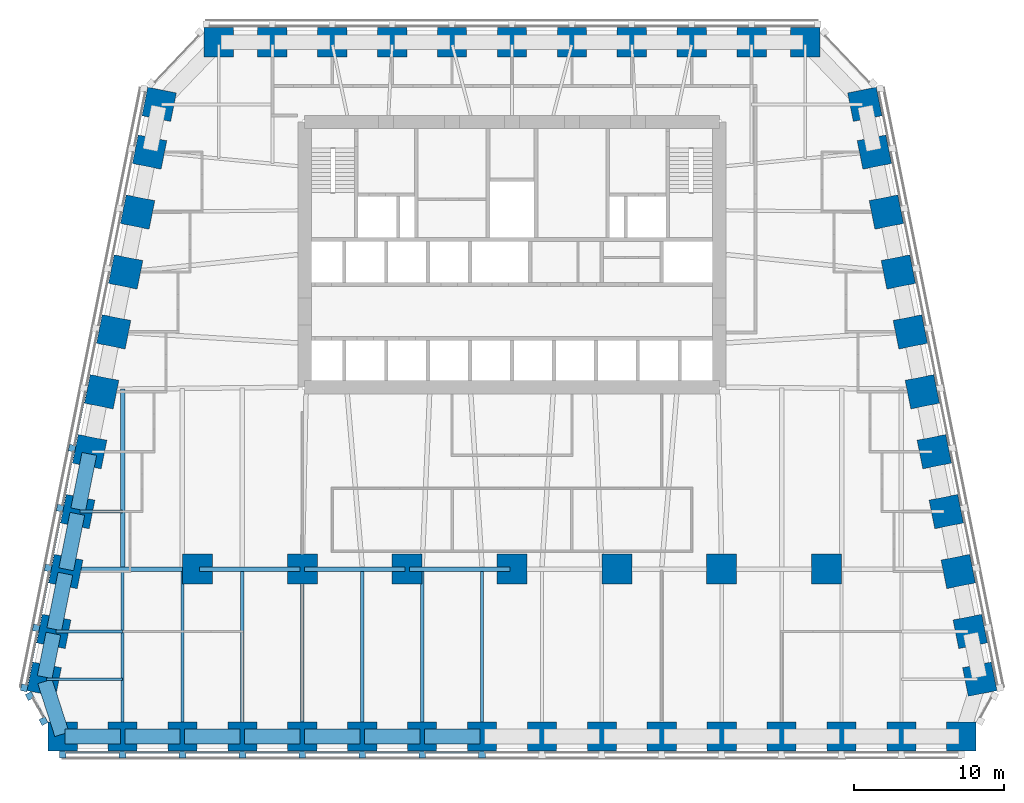
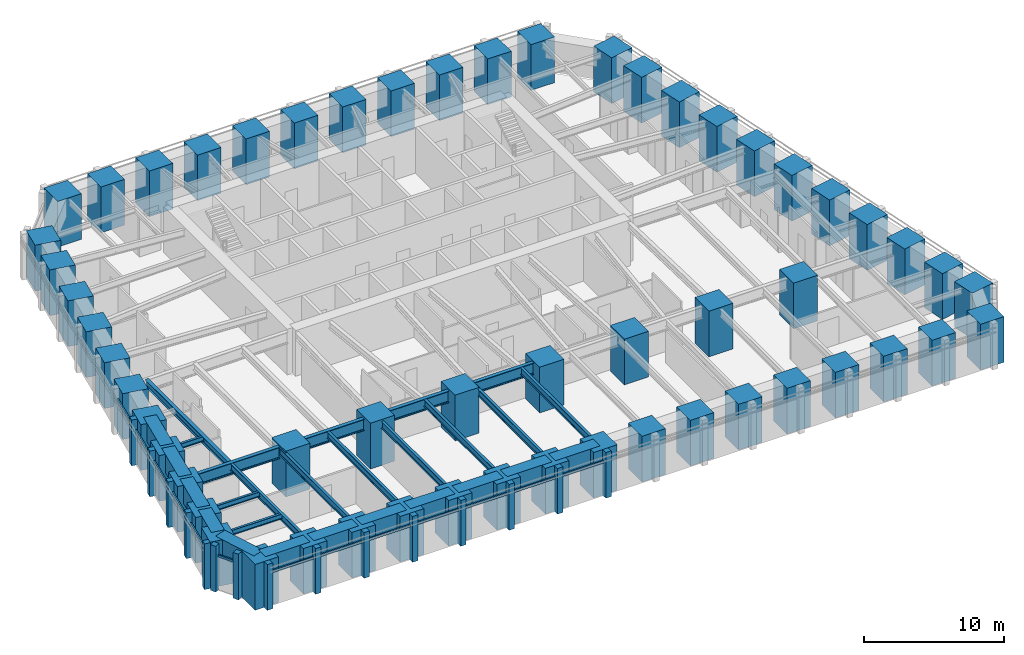
# One storey, part 1 of 10: 56 columns, 28 members, 27 beams, 3 elements without a shape of their own.
"""IFC4 building model written with IfcOpenShell, lengths in metres."""

from ifc_helpers import new_model, si_unit, direction, frame, origin, origin_2d, place, context, subcontext, project, spatial, rectangle, i_section, extrude, material, material_profile, profile_set, type_object, element, aggregate, save


model = new_model("IFC4")

# Units and contexts
model_context = context("Model", 3, precision=1e-05, world=origin(), true_north=direction((0.0, 1.0)))
body_context = subcontext(model_context, "Body", "Model", "MODEL_VIEW")
ifc_project = project(units=[si_unit("LENGTHUNIT", "METRE"), si_unit("AREAUNIT", "SQUARE_METRE"), si_unit("VOLUMEUNIT", "CUBIC_METRE"), si_unit("PLANEANGLEUNIT", "RADIAN"), si_unit("MASSUNIT", "GRAM", prefix="KILO")], contexts=[model_context])

# Site, building, storey
site_placement = place(None, origin())
site = spatial("IfcSite", under=ifc_project, at=site_placement, CompositionType="ELEMENT")
building_placement = place(site_placement, origin())
building = spatial("IfcBuilding", under=site, at=building_placement, Name="Isbrekke Arena Tower", CompositionType="ELEMENT")
storey_placement = place(building_placement, frame((0.0, 0.0, 84.0)))
storey = spatial("IfcBuildingStorey", under=building, at=storey_placement, Name="L18", CompositionType="ELEMENT", Elevation=84.0)

# Columns
ifc_material_1 = material(Name="Concrete B90 (C90/105)", Category="concrete")
ifc_material_profile_1 = material_profile(ifc_material_1, rectangle(XDim=2.0, YDim=2.0, at=origin_2d()), Name="RC 2000x2000")
ifc_profile_set_1 = profile_set([ifc_material_profile_1], Name="Concrete B90 (C90/105)")
column_type_1 = type_object("IfcColumnType", Name="C11 RC 2000 x 2000", PredefinedType="COLUMN", material=ifc_profile_set_1)
for number, where, z_axis, x_axis, name in (
    (1, (-21.0, -6.0, 0.0), (0.0, 0.0, 1.0), (1.0, 0.0, 0.0), "C11 I01"),
    (2, (-14.0, -6.0, 0.0), (0.0, 0.0, 1.0), (1.0, 0.0, 0.0), "C11 I02"),
    (3, (-7.0, -6.0, 0.0), (0.0, 0.0, 1.0), (1.0, 0.0, 0.0), "C11 I03"),
    (4, (0.0, -6.0, 0.0), (0.0, 0.0, 1.0), (1.0, 0.0, 0.0), "C11 I04"),
    (5, (7.0, -6.0, 0.0), (0.0, 0.0, 1.0), (1.0, 0.0, 0.0), "C11 I05"),
    (6, (14.0, -6.0, 0.0), (0.0, 0.0, 1.0), (1.0, 0.0, 0.0), "C11 I06"),
    (7, (21.0, -6.0, 0.0), (0.0, 0.0, 1.0), (1.0, 0.0, 0.0), "C11 I07"),
):
    element("IfcColumn", number, at=place(storey_placement, frame(where, z_axis=z_axis, x_axis=x_axis)), inside=storey, type_object=column_type_1, Name=name, PredefinedType="COLUMN", context=body_context, shape_type="SweptSolid", body=[
        extrude(rectangle(XDim=2.0, YDim=2.0, at=origin_2d()), origin(), (0.0, 0.0, 1.0), 4.0),
    ])
ifc_material_2 = material(Name="Concrete B90 (C90/105)", Category="concrete")
ifc_material_profile_2 = material_profile(ifc_material_2, rectangle(XDim=1.949951171875, YDim=1.949951171875, at=origin_2d()), Name="RC 1950x1950")
ifc_profile_set_2 = profile_set([ifc_material_profile_2], Name="Concrete B90 (C90/105)")
column_type_2 = type_object("IfcColumnType", Name="C2 RC 1950 x 1950", PredefinedType="COLUMN", material=ifc_profile_set_2)
for number, where, z_axis, x_axis, name in (
    (8, (-30.0, -17.175048828125, 0.0), (0.0, 0.0, 1.0), (1.0, 0.0, 0.0), "C2 S01"),
    (9, (-26.0, -17.175048828125, 0.0), (0.0, 0.0, 1.0), (1.0, 0.0, 0.0), "C2 S02"),
    (10, (-22.0, -17.175048828125, 0.0), (0.0, 0.0, 1.0), (1.0, 0.0, 0.0), "C2 S03"),
    (11, (-18.0, -17.175048828125, 0.0), (0.0, 0.0, 1.0), (1.0, 0.0, 0.0), "C2 S04"),
    (12, (-14.0, -17.175048828125, 0.0), (0.0, 0.0, 1.0), (1.0, 0.0, 0.0), "C2 S05"),
    (13, (-10.0, -17.175048828125, 0.0), (0.0, 0.0, 1.0), (1.0, 0.0, 0.0), "C2 S06"),
    (14, (-6.0, -17.175048828125, 0.0), (0.0, 0.0, 1.0), (1.0, 0.0, 0.0), "C2 S07"),
    (15, (-2.0, -17.175048828125, 0.0), (0.0, 0.0, 1.0), (1.0, 0.0, 0.0), "C2 S08"),
    (16, (2.0, -17.175048828125, 0.0), (0.0, 0.0, 1.0), (1.0, 0.0, 0.0), "C2 S09"),
    (17, (6.0, -17.175048828125, 0.0), (0.0, 0.0, 1.0), (1.0, 0.0, 0.0), "C2 S10"),
    (18, (10.0, -17.175048828125, 0.0), (0.0, 0.0, 1.0), (1.0, 0.0, 0.0), "C2 S11"),
    (19, (14.0, -17.175048828125, 0.0), (0.0, 0.0, 1.0), (1.0, 0.0, 0.0), "C2 S12"),
    (20, (18.0, -17.175048828125, 0.0), (0.0, 0.0, 1.0), (1.0, 0.0, 0.0), "C2 S13"),
    (21, (22.0, -17.175048828125, 0.0), (0.0, 0.0, 1.0), (1.0, 0.0, 0.0), "C2 S14"),
    (22, (26.0, -17.175048828125, 0.0), (0.0, 0.0, 1.0), (1.0, 0.0, 0.0), "C2 S15"),
    (23, (30.0, -17.175048828125, 0.0), (0.0, 0.0, 1.0), (1.0, 0.0, 0.0), "C2 S16"),
    (24, (31.229248046875, -13.352783203125, 0.0), (0.0, 0.0, 1.0), (-0.196116135138, 0.980580675691, 0.0), "C2 E01"),
    (25, (30.591064453125, -10.161865234375, 0.0), (0.0, 0.0, 1.0), (-0.196116135138, 0.980580675691, 0.0), "C2 E02"),
    (26, (29.791015625, -6.161865234375, 0.0), (0.0, 0.0, 1.0), (-0.196116135138, 0.980580675691, 0.0), "C2 E03"),
    (27, (28.990966796875, -2.161865234375, 0.0), (0.0, 0.0, 1.0), (-0.196116135138, 0.980580675691, 0.0), "C2 E04"),
    (28, (28.19091796875, 1.838134765625, 0.0), (0.0, 0.0, 1.0), (-0.196116135138, 0.980580675691, 0.0), "C2 E05"),
    (29, (27.39111328125, 5.838134765625, 0.0), (0.0, 0.0, 1.0), (-0.196116135138, 0.980580675691, 0.0), "C2 E06"),
    (30, (26.591064453125, 9.838134765625, 0.0), (0.0, 0.0, 1.0), (-0.196116135138, 0.980580675691, 0.0), "C2 E07"),
    (31, (25.791015625, 13.838134765625, 0.0), (0.0, 0.0, 1.0), (-0.196116135138, 0.980580675691, 0.0), "C2 E08"),
    (32, (24.990966796875, 17.838134765625, 0.0), (0.0, 0.0, 1.0), (-0.196116135138, 0.980580675691, 0.0), "C2 E09"),
    (33, (24.19091796875, 21.838134765625, 0.0), (0.0, 0.0, 1.0), (-0.196116135138, 0.980580675691, 0.0), "C2 E10"),
    (34, (23.552734375, 25.029296875, 0.0), (0.0, 0.0, 1.0), (-0.196116135138, 0.980580675691, 0.0), "C2 E11"),
    (35, (19.574951171875, 29.175048828125, 0.0), (0.0, 0.0, 1.0), (-1.0, 0.0, 0.0), "C2 N01"),
    (36, (16.0, 29.175048828125, 0.0), (0.0, 0.0, 1.0), (-1.0, 0.0, 0.0), "C2 N02"),
    (37, (12.0, 29.175048828125, 0.0), (0.0, 0.0, 1.0), (-1.0, 0.0, 0.0), "C2 N03"),
    (38, (8.0, 29.175048828125, 0.0), (0.0, 0.0, 1.0), (-1.0, 0.0, 0.0), "C2 N04"),
    (39, (4.0, 29.175048828125, 0.0), (0.0, 0.0, 1.0), (-1.0, 0.0, 0.0), "C2 N05"),
    (40, (0.0, 29.175048828125, 0.0), (0.0, 0.0, 1.0), (-1.0, 0.0, 0.0), "C2 N06"),
    (41, (-4.0, 29.175048828125, 0.0), (0.0, 0.0, 1.0), (-1.0, 0.0, 0.0), "C2 N07"),
    (42, (-8.0, 29.175048828125, 0.0), (0.0, 0.0, 1.0), (-1.0, 0.0, 0.0), "C2 N08"),
    (43, (-12.0, 29.175048828125, 0.0), (0.0, 0.0, 1.0), (-1.0, 0.0, 0.0), "C2 N09"),
    (44, (-16.0, 29.175048828125, 0.0), (0.0, 0.0, 1.0), (-1.0, 0.0, 0.0), "C2 N10"),
    (45, (-19.574951171875, 29.175048828125, 0.0), (0.0, 0.0, 1.0), (-1.0, 0.0, 0.0), "C2 N11"),
    (46, (-23.552734375, 25.029296875, 0.0), (0.0, 0.0, 1.0), (-0.196116135138, -0.980580675691, 0.0), "C2 W01"),
    (47, (-24.19091796875, 21.838134765625, 0.0), (0.0, 0.0, 1.0), (-0.196116135138, -0.980580675691, 0.0), "C2 W02"),
    (48, (-24.990966796875, 17.838134765625, 0.0), (0.0, 0.0, 1.0), (-0.196116135138, -0.980580675691, 0.0), "C2 W03"),
    (49, (-25.791015625, 13.838134765625, 0.0), (0.0, 0.0, 1.0), (-0.196116135138, -0.980580675691, 0.0), "C2 W04"),
    (50, (-26.591064453125, 9.838134765625, 0.0), (0.0, 0.0, 1.0), (-0.196116135138, -0.980580675691, 0.0), "C2 W05"),
    (51, (-27.39111328125, 5.838134765625, 0.0), (0.0, 0.0, 1.0), (-0.196116135138, -0.980580675691, 0.0), "C2 W06"),
    (52, (-28.19091796875, 1.838134765625, 0.0), (0.0, 0.0, 1.0), (-0.196116135138, -0.980580675691, 0.0), "C2 W07"),
    (53, (-28.990966796875, -2.161865234375, 0.0), (0.0, 0.0, 1.0), (-0.196116135138, -0.980580675691, 0.0), "C2 W08"),
    (54, (-29.791015625, -6.161865234375, 0.0), (0.0, 0.0, 1.0), (-0.196116135138, -0.980580675691, 0.0), "C2 W09"),
    (55, (-30.591064453125, -10.161865234375, 0.0), (0.0, 0.0, 1.0), (-0.196116135138, -0.980580675691, 0.0), "C2 W10"),
    (56, (-31.229248046875, -13.352783203125, 0.0), (0.0, 0.0, 1.0), (-0.196116135138, -0.980580675691, 0.0), "C2 W11"),
):
    element("IfcColumn", number, at=place(storey_placement, frame(where, z_axis=z_axis, x_axis=x_axis)), inside=storey, type_object=column_type_2, Name=name, PredefinedType="COLUMN", context=body_context, shape_type="SweptSolid", body=[
        extrude(rectangle(XDim=1.949951171875, YDim=1.949951171875, at=origin_2d()), origin(), (0.0, 0.0, 1.0), 4.0),
    ])

# Beams
ifc_material_3 = material(Name="Steel S355", Category="steel")
ifc_material_profile_3 = material_profile(ifc_material_3, i_section(OverallWidth=0.219970703125, OverallDepth=0.60009765625, WebThickness=0.011962890625, FlangeThickness=0.01904296875, FilletRadius=0.02392578125, at=origin_2d()), Name="IPE 600")
ifc_profile_set_3 = profile_set([ifc_material_profile_3], Name="Steel S355")
beam_type_1 = type_object("IfcBeamType", Name="B1 IPE 600", PredefinedType="BEAM", material=ifc_profile_set_3)
for number, where, z_axis, x_axis, name in (
    (57, (-26.0, -17.02490234375, 3.550048828125), (0.0, 1.0, 0.0), (-1.0, 0.0, 0.0), "B1 beam S-S02 L18"),
    (58, (-22.0, -17.02490234375, 3.550048828125), (0.0, 1.0, 0.0), (-1.0, 0.0, 0.0), "B1 beam S-S03 L18"),
    (59, (-18.0, -17.02490234375, 3.550048828125), (0.0, 1.0, 0.0), (-1.0, 0.0, 0.0), "B1 beam S-S04 L18"),
):
    element("IfcBeam", number, at=place(storey_placement, frame(where, z_axis=z_axis, x_axis=x_axis)), inside=storey, type_object=beam_type_1, Name=name, PredefinedType="BEAM", context=body_context, shape_type="SweptSolid", body=[
        extrude(i_section(OverallWidth=0.219970703125, OverallDepth=0.60009765625, WebThickness=0.011962890625, FlangeThickness=0.01904296875, FilletRadius=0.02392578125, at=origin_2d()), origin(), (0.0, 0.0, 1.0), 10.8740234375),
    ])
beam_1_placement = place(storey_placement, frame((-14.0, -17.02490234375, 3.550048828125), z_axis=(0.0, 1.0, 0.0), x_axis=(-1.0, 0.0, 0.0)))
element("IfcBeam", 60, at=beam_1_placement, inside=storey, type_object=beam_type_1, Name="B1 beam S-S05 L18", PredefinedType="BEAM", context=body_context, shape_type="SweptSolid", body=[
    extrude(i_section(OverallWidth=0.219970703125, OverallDepth=0.60009765625, WebThickness=0.011962890625, FlangeThickness=0.01904296875, FilletRadius=0.02392578125, at=origin_2d()), origin(), (0.0, 0.0, 1.0), 10.875),
])
for number, where, z_axis, x_axis, name in (
    (61, (-10.0, -17.02490234375, 3.550048828125), (0.0, 1.0, 0.0), (-1.0, 0.0, 0.0), "B1 beam S-S06 L18"),
    (62, (-6.0, -17.02490234375, 3.550048828125), (0.0, 1.0, 0.0), (-1.0, 0.0, 0.0), "B1 beam S-S07 L18"),
    (63, (-2.0, -17.02490234375, 3.550048828125), (0.0, 1.0, 0.0), (-1.0, 0.0, 0.0), "B1 beam S-S08 L18"),
):
    element("IfcBeam", number, at=place(storey_placement, frame(where, z_axis=z_axis, x_axis=x_axis)), inside=storey, type_object=beam_type_1, Name=name, PredefinedType="BEAM", context=body_context, shape_type="SweptSolid", body=[
        extrude(i_section(OverallWidth=0.219970703125, OverallDepth=0.60009765625, WebThickness=0.011962890625, FlangeThickness=0.01904296875, FilletRadius=0.02392578125, at=origin_2d()), origin(), (0.0, 0.0, 1.0), 10.8740234375),
    ])
ifc_material_4 = material(Name="Steel S355", Category="steel")
ifc_material_profile_4 = material_profile(ifc_material_4, i_section(OverallWidth=0.18994140625, OverallDepth=0.449951171875, WebThickness=0.009521484375, FlangeThickness=0.0146484375, FilletRadius=0.02099609375, at=origin_2d()), Name="IPE 450")
ifc_profile_set_4 = profile_set([ifc_material_profile_4], Name="Steel S355")
beam_type_2 = type_object("IfcBeamType", Name="B2 IPE 450", PredefinedType="BEAM", material=ifc_profile_set_4)
beam_2_placement = place(storey_placement, frame((-28.841064453125, -2.161865234375, 3.625), z_axis=(1.0, 0.0, 0.0), x_axis=(0.0, 1.0, 0.0)))
element("IfcBeam", 64, at=beam_2_placement, inside=storey, type_object=beam_type_2, Name="B2 beam E-W08 L18", PredefinedType="BEAM", context=body_context, shape_type="SweptSolid", body=[
    extrude(i_section(OverallWidth=0.18994140625, OverallDepth=0.449951171875, WebThickness=0.009521484375, FlangeThickness=0.0146484375, FilletRadius=0.02099609375, at=origin_2d()), origin(), (0.0, 0.0, 1.0), 2.841064453125),
])
beam_3_placement = place(storey_placement, frame((-30.44091796875, -10.161865234375, 3.625), z_axis=(1.0, 0.0, 0.0), x_axis=(0.0, 1.0, 0.0)))
element("IfcBeam", 65, at=beam_3_placement, inside=storey, type_object=beam_type_2, Name="B2 beam E-W10 L18", PredefinedType="BEAM", context=body_context, shape_type="SweptSolid", body=[
    extrude(i_section(OverallWidth=0.18994140625, OverallDepth=0.449951171875, WebThickness=0.009521484375, FlangeThickness=0.0146484375, FilletRadius=0.02099609375, at=origin_2d()), origin(), (0.0, 0.0, 1.0), 4.44091796875),
])
beam_4_placement = place(storey_placement, frame((-31.079345703125, -13.352783203125, 3.625), z_axis=(1.0, 0.0, 0.0), x_axis=(0.0, 1.0, 0.0)))
element("IfcBeam", 66, at=beam_4_placement, inside=storey, type_object=beam_type_2, Name="B2 beam E-W11 L18", PredefinedType="BEAM", context=body_context, shape_type="SweptSolid", body=[
    extrude(i_section(OverallWidth=0.18994140625, OverallDepth=0.449951171875, WebThickness=0.009521484375, FlangeThickness=0.0146484375, FilletRadius=0.02099609375, at=origin_2d()), origin(), (0.0, 0.0, 1.0), 5.079345703125),
])
ifc_material_5 = material(Name="Steel S355", Category="steel")
ifc_material_profile_5 = material_profile(ifc_material_5, i_section(OverallWidth=0.300048828125, OverallDepth=0.60009765625, WebThickness=0.015380859375, FlangeThickness=0.030029296875, FilletRadius=0.027099609375, at=origin_2d()), Name="HEB 600")
ifc_profile_set_5 = profile_set([ifc_material_profile_5], Name="Steel S355")
beam_type_3 = type_object("IfcBeamType", Name="B7 HEB 600", PredefinedType="BEAM", material=ifc_profile_set_5)
beam_5_placement = place(storey_placement, frame((-26.0, -5.84912109375, 3.550048828125), z_axis=(0.0, 1.0, 0.0), x_axis=(-1.0, 0.0, 0.0)))
element("IfcBeam", 67, at=beam_5_placement, inside=storey, type_object=beam_type_3, Name="B7 beam C-M01 L18", PredefinedType="BEAM", context=body_context, shape_type="SweptSolid", body=[
    extrude(i_section(OverallWidth=0.300048828125, OverallDepth=0.60009765625, WebThickness=0.015380859375, FlangeThickness=0.030029296875, FilletRadius=0.027099609375, at=origin_2d()), origin(), (0.0, 0.0, 1.0), 11.864990234375),
])

# Curtain wall, members
ifc_material_6 = material(Name="Glazed aluminium curtain wall", Category="aluminium")
curtain_wall_type = type_object("IfcCurtainWallType", Name="CWL TOWER CURTAIN WALL LOW ZONE", PredefinedType="USERDEFINED", material=ifc_material_6)
curtain_wall_1_placement = place(storey_placement, origin())
curtain_wall_1 = element("IfcCurtainWall", 68, at=curtain_wall_1_placement, inside=storey, type_object=curtain_wall_type, Name="CWL curtain wall L18-S", ObjectType="TOWER CURTAIN WALL LOW ZONE", PredefinedType="USERDEFINED")
ifc_material_7 = material(Name="Aluminium mullion, pale brick slip cladding", Category="masonry")
ifc_material_profile_6 = material_profile(ifc_material_7, rectangle(XDim=0.449951171875, YDim=0.449951171875, at=origin_2d()), Name="PIER 450X450")
ifc_profile_set_6 = profile_set([ifc_material_profile_6], Name="Aluminium mullion, pale brick slip cladding")
member_type_1 = type_object("IfcMemberType", Name="CWL-M PIER MULLION 450 x 450", PredefinedType="MULLION", material=ifc_profile_set_6)
member_1_placement = place(storey_placement, frame((-30.0, -18.375, 0.0), z_axis=(0.0, 0.0, 1.0), x_axis=(1.0, 0.0, 0.0)))
member_1 = element("IfcMember", 69, at=member_1_placement, type_object=member_type_1, Name="CWL-M mullion 1", PredefinedType="MULLION", context=body_context, shape_type="SweptSolid", body=[
    extrude(rectangle(XDim=0.449951171875, YDim=0.449951171875, at=origin_2d()), origin(), (0.0, 0.0, 1.0), 4.0),
])
member_2_placement = place(storey_placement, frame((-26.0, -18.375, 0.0), z_axis=(0.0, 0.0, 1.0), x_axis=(1.0, 0.0, 0.0)))
member_2 = element("IfcMember", 70, at=member_2_placement, type_object=member_type_1, Name="CWL-M mullion 2", PredefinedType="MULLION", context=body_context, shape_type="SweptSolid", body=[
    extrude(rectangle(XDim=0.449951171875, YDim=0.449951171875, at=origin_2d()), origin(), (0.0, 0.0, 1.0), 4.0),
])
member_3_placement = place(storey_placement, frame((-22.0, -18.375, 0.0), z_axis=(0.0, 0.0, 1.0), x_axis=(1.0, 0.0, 0.0)))
member_3 = element("IfcMember", 71, at=member_3_placement, type_object=member_type_1, Name="CWL-M mullion 3", PredefinedType="MULLION", context=body_context, shape_type="SweptSolid", body=[
    extrude(rectangle(XDim=0.449951171875, YDim=0.449951171875, at=origin_2d()), origin(), (0.0, 0.0, 1.0), 4.0),
])
member_4_placement = place(storey_placement, frame((-18.0, -18.375, 0.0), z_axis=(0.0, 0.0, 1.0), x_axis=(1.0, 0.0, 0.0)))
member_4 = element("IfcMember", 72, at=member_4_placement, type_object=member_type_1, Name="CWL-M mullion 4", PredefinedType="MULLION", context=body_context, shape_type="SweptSolid", body=[
    extrude(rectangle(XDim=0.449951171875, YDim=0.449951171875, at=origin_2d()), origin(), (0.0, 0.0, 1.0), 4.0),
])
member_5_placement = place(storey_placement, frame((-14.0, -18.375, 0.0), z_axis=(0.0, 0.0, 1.0), x_axis=(1.0, 0.0, 0.0)))
member_5 = element("IfcMember", 73, at=member_5_placement, type_object=member_type_1, Name="CWL-M mullion 5", PredefinedType="MULLION", context=body_context, shape_type="SweptSolid", body=[
    extrude(rectangle(XDim=0.449951171875, YDim=0.449951171875, at=origin_2d()), origin(), (0.0, 0.0, 1.0), 4.0),
])
member_6_placement = place(storey_placement, frame((-10.0, -18.375, 0.0), z_axis=(0.0, 0.0, 1.0), x_axis=(1.0, 0.0, 0.0)))
member_6 = element("IfcMember", 74, at=member_6_placement, type_object=member_type_1, Name="CWL-M mullion 6", PredefinedType="MULLION", context=body_context, shape_type="SweptSolid", body=[
    extrude(rectangle(XDim=0.449951171875, YDim=0.449951171875, at=origin_2d()), origin(), (0.0, 0.0, 1.0), 4.0),
])
member_7_placement = place(storey_placement, frame((-6.0, -18.375, 0.0), z_axis=(0.0, 0.0, 1.0), x_axis=(1.0, 0.0, 0.0)))
member_7 = element("IfcMember", 75, at=member_7_placement, type_object=member_type_1, Name="CWL-M mullion 7", PredefinedType="MULLION", context=body_context, shape_type="SweptSolid", body=[
    extrude(rectangle(XDim=0.449951171875, YDim=0.449951171875, at=origin_2d()), origin(), (0.0, 0.0, 1.0), 4.0),
])
member_8_placement = place(storey_placement, frame((-2.0, -18.375, 0.0), z_axis=(0.0, 0.0, 1.0), x_axis=(1.0, 0.0, 0.0)))
member_8 = element("IfcMember", 76, at=member_8_placement, type_object=member_type_1, Name="CWL-M mullion 8", PredefinedType="MULLION", context=body_context, shape_type="SweptSolid", body=[
    extrude(rectangle(XDim=0.449951171875, YDim=0.449951171875, at=origin_2d()), origin(), (0.0, 0.0, 1.0), 4.0),
])

curtain_wall_2_placement = place(storey_placement, origin())
curtain_wall_2 = element("IfcCurtainWall", 77, at=curtain_wall_2_placement, inside=storey, type_object=curtain_wall_type, Name="CWL curtain wall L18-W", ObjectType="TOWER CURTAIN WALL LOW ZONE", PredefinedType="USERDEFINED")
member_9_placement = place(storey_placement, frame((-29.36767578125, 2.073486328125, 0.0), z_axis=(0.0, 0.0, 1.0), x_axis=(-0.196116135138, -0.980580675691, 0.0)))
member_9 = element("IfcMember", 78, at=member_9_placement, type_object=member_type_1, Name="CWL-M mullion 7", PredefinedType="MULLION", context=body_context, shape_type="SweptSolid", body=[
    extrude(rectangle(XDim=0.449951171875, YDim=0.449951171875, at=origin_2d()), origin(), (0.0, 0.0, 1.0), 4.0),
])
member_10_placement = place(storey_placement, frame((-30.167724609375, -1.926513671875, 0.0), z_axis=(0.0, 0.0, 1.0), x_axis=(-0.196116135138, -0.980580675691, 0.0)))
member_10 = element("IfcMember", 79, at=member_10_placement, type_object=member_type_1, Name="CWL-M mullion 8", PredefinedType="MULLION", context=body_context, shape_type="SweptSolid", body=[
    extrude(rectangle(XDim=0.449951171875, YDim=0.449951171875, at=origin_2d()), origin(), (0.0, 0.0, 1.0), 4.0),
])
member_11_placement = place(storey_placement, frame((-30.9677734375, -5.926513671875, 0.0), z_axis=(0.0, 0.0, 1.0), x_axis=(-0.196116135138, -0.980580675691, 0.0)))
member_11 = element("IfcMember", 80, at=member_11_placement, type_object=member_type_1, Name="CWL-M mullion 9", PredefinedType="MULLION", context=body_context, shape_type="SweptSolid", body=[
    extrude(rectangle(XDim=0.449951171875, YDim=0.449951171875, at=origin_2d()), origin(), (0.0, 0.0, 1.0), 4.0),
])
member_12_placement = place(storey_placement, frame((-31.767822265625, -9.926513671875, 0.0), z_axis=(0.0, 0.0, 1.0), x_axis=(-0.196116135138, -0.980580675691, 0.0)))
member_12 = element("IfcMember", 81, at=member_12_placement, type_object=member_type_1, Name="CWL-M mullion 10", PredefinedType="MULLION", context=body_context, shape_type="SweptSolid", body=[
    extrude(rectangle(XDim=0.449951171875, YDim=0.449951171875, at=origin_2d()), origin(), (0.0, 0.0, 1.0), 4.0),
])
member_13_placement = place(storey_placement, frame((-32.567626953125, -13.926513671875, 0.0), z_axis=(0.0, 0.0, 1.0), x_axis=(-0.196116135138, -0.980580675691, 0.0)))
member_13 = element("IfcMember", 82, at=member_13_placement, type_object=member_type_1, Name="CWL-M mullion 11", PredefinedType="MULLION", context=body_context, shape_type="SweptSolid", body=[
    extrude(rectangle(XDim=0.449951171875, YDim=0.449951171875, at=origin_2d()), origin(), (0.0, 0.0, 1.0), 4.0),
])

curtain_wall_3_placement = place(storey_placement, origin())
curtain_wall_3 = element("IfcCurtainWall", 83, at=curtain_wall_3_placement, inside=storey, type_object=curtain_wall_type, Name="CWL curtain wall L18-WS", ObjectType="TOWER CURTAIN WALL LOW ZONE", PredefinedType="USERDEFINED")
member_14_placement = place(storey_placement, frame((-32.19580078125, -14.474609375, 0.0), z_axis=(0.0, 0.0, 1.0), x_axis=(0.481918749773, -0.876215908676, 0.0)))
member_14 = element("IfcMember", 84, at=member_14_placement, type_object=member_type_1, Name="CWL-M mullion 1", PredefinedType="MULLION", context=body_context, shape_type="SweptSolid", body=[
    extrude(rectangle(XDim=0.449951171875, YDim=0.449951171875, at=origin_2d()), origin(), (0.0, 0.0, 1.0), 4.0),
])
member_15_placement = place(storey_placement, frame((-31.277587890625, -16.14404296875, 0.0), z_axis=(0.0, 0.0, 1.0), x_axis=(0.481918749773, -0.876215908676, 0.0)))
member_15 = element("IfcMember", 85, at=member_15_placement, type_object=member_type_1, Name="CWL-M mullion 2", PredefinedType="MULLION", context=body_context, shape_type="SweptSolid", body=[
    extrude(rectangle(XDim=0.449951171875, YDim=0.449951171875, at=origin_2d()), origin(), (0.0, 0.0, 1.0), 4.0),
])

# Member
ifc_material_8 = material(Name="Aluminium transom", Category="aluminium")
ifc_material_profile_7 = material_profile(ifc_material_8, rectangle(XDim=0.1201171875, YDim=0.199951171875, at=origin_2d()), Name="TRANSOM 120X200")
ifc_profile_set_7 = profile_set([ifc_material_profile_7], Name="Aluminium transom")
member_type_2 = type_object("IfcMemberType", Name="CWL-T TRANSOM 120 x 200", PredefinedType="USERDEFINED", material=ifc_profile_set_7)
member_16_placement = place(storey_placement, frame((-29.77490234375, -18.25, 3.0), z_axis=(1.0, 0.0, 0.0), x_axis=(0.0, 1.0, 0.0)))
member_16 = element("IfcMember", 86, at=member_16_placement, type_object=member_type_2, Name="CWL-T transom 1", ObjectType="TRANSOM", PredefinedType="USERDEFINED", context=body_context, shape_type="SweptSolid", body=[
    extrude(rectangle(XDim=0.1201171875, YDim=0.199951171875, at=origin_2d()), origin(), (0.0, 0.0, 1.0), 3.5498046875),
])

member_17_placement = place(storey_placement, frame((-25.77490234375, -18.25, 3.0), z_axis=(1.0, 0.0, 0.0), x_axis=(0.0, 1.0, 0.0)))
member_17 = element("IfcMember", 87, at=member_17_placement, type_object=member_type_2, Name="CWL-T transom 2", ObjectType="TRANSOM", PredefinedType="USERDEFINED", context=body_context, shape_type="SweptSolid", body=[
    extrude(rectangle(XDim=0.1201171875, YDim=0.199951171875, at=origin_2d()), origin(), (0.0, 0.0, 1.0), 3.5498046875),
])

member_18_placement = place(storey_placement, frame((-21.77490234375, -18.25, 3.0), z_axis=(1.0, 0.0, 0.0), x_axis=(0.0, 1.0, 0.0)))
member_18 = element("IfcMember", 88, at=member_18_placement, type_object=member_type_2, Name="CWL-T transom 3", ObjectType="TRANSOM", PredefinedType="USERDEFINED", context=body_context, shape_type="SweptSolid", body=[
    extrude(rectangle(XDim=0.1201171875, YDim=0.199951171875, at=origin_2d()), origin(), (0.0, 0.0, 1.0), 3.5498046875),
])

member_19_placement = place(storey_placement, frame((-17.77490234375, -18.25, 3.0), z_axis=(1.0, 0.0, 0.0), x_axis=(0.0, 1.0, 0.0)))
member_19 = element("IfcMember", 89, at=member_19_placement, type_object=member_type_2, Name="CWL-T transom 4", ObjectType="TRANSOM", PredefinedType="USERDEFINED", context=body_context, shape_type="SweptSolid", body=[
    extrude(rectangle(XDim=0.1201171875, YDim=0.199951171875, at=origin_2d()), origin(), (0.0, 0.0, 1.0), 3.5498046875),
])

member_20_placement = place(storey_placement, frame((-13.77490234375, -18.25, 3.0), z_axis=(1.0, 0.0, 0.0), x_axis=(0.0, 1.0, 0.0)))
member_20 = element("IfcMember", 90, at=member_20_placement, type_object=member_type_2, Name="CWL-T transom 5", ObjectType="TRANSOM", PredefinedType="USERDEFINED", context=body_context, shape_type="SweptSolid", body=[
    extrude(rectangle(XDim=0.1201171875, YDim=0.199951171875, at=origin_2d()), origin(), (0.0, 0.0, 1.0), 3.5498046875),
])

member_21_placement = place(storey_placement, frame((-9.77490234375, -18.25, 3.0), z_axis=(1.0, 0.0, 0.0), x_axis=(0.0, 1.0, 0.0)))
member_21 = element("IfcMember", 91, at=member_21_placement, type_object=member_type_2, Name="CWL-T transom 6", ObjectType="TRANSOM", PredefinedType="USERDEFINED", context=body_context, shape_type="SweptSolid", body=[
    extrude(rectangle(XDim=0.1201171875, YDim=0.199951171875, at=origin_2d()), origin(), (0.0, 0.0, 1.0), 3.5498046875),
])

member_22_placement = place(storey_placement, frame((-5.77490234375, -18.25, 3.0), z_axis=(1.0, 0.0, 0.0), x_axis=(0.0, 1.0, 0.0)))
member_22 = element("IfcMember", 92, at=member_22_placement, type_object=member_type_2, Name="CWL-T transom 7", ObjectType="TRANSOM", PredefinedType="USERDEFINED", context=body_context, shape_type="SweptSolid", body=[
    extrude(rectangle(XDim=0.1201171875, YDim=0.199951171875, at=origin_2d()), origin(), (0.0, 0.0, 1.0), 3.5498046875),
])

aggregate(curtain_wall_1, [member_1, member_2, member_3, member_4, member_5, member_6, member_7, member_8, member_16, member_17, member_18, member_19, member_20, member_21, member_22])

member_23_placement = place(storey_placement, frame((-28.4892578125, 5.828369140625, 3.0), z_axis=(-0.196103197847, -0.98058326306, 0.0), x_axis=(0.98058326306, -0.196103197847, 0.0)))
member_23 = element("IfcMember", 93, at=member_23_placement, type_object=member_type_2, Name="CWL-T transom 6", ObjectType="TRANSOM", PredefinedType="USERDEFINED", context=body_context, shape_type="SweptSolid", body=[
    extrude(rectangle(XDim=0.1201171875, YDim=0.199951171875, at=origin_2d()), origin(), (0.0, 0.0, 1.0), 3.629150390625),
])

member_24_placement = place(storey_placement, frame((-29.289306640625, 1.828369140625, 3.0), z_axis=(-0.196103197847, -0.98058326306, 0.0), x_axis=(0.98058326306, -0.196103197847, 0.0)))
member_24 = element("IfcMember", 94, at=member_24_placement, type_object=member_type_2, Name="CWL-T transom 7", ObjectType="TRANSOM", PredefinedType="USERDEFINED", context=body_context, shape_type="SweptSolid", body=[
    extrude(rectangle(XDim=0.1201171875, YDim=0.199951171875, at=origin_2d()), origin(), (0.0, 0.0, 1.0), 3.629150390625),
])

member_25_placement = place(storey_placement, frame((-30.08935546875, -2.171630859375, 3.0), z_axis=(-0.196103197847, -0.98058326306, 0.0), x_axis=(0.98058326306, -0.196103197847, 0.0)))
member_25 = element("IfcMember", 95, at=member_25_placement, type_object=member_type_2, Name="CWL-T transom 8", ObjectType="TRANSOM", PredefinedType="USERDEFINED", context=body_context, shape_type="SweptSolid", body=[
    extrude(rectangle(XDim=0.1201171875, YDim=0.199951171875, at=origin_2d()), origin(), (0.0, 0.0, 1.0), 3.629150390625),
])

member_26_placement = place(storey_placement, frame((-30.88916015625, -6.171630859375, 3.0), z_axis=(-0.196167883278, -0.980570324643, 0.0), x_axis=(0.980570324643, -0.196167883278, 0.0)))
member_26 = element("IfcMember", 96, at=member_26_placement, type_object=member_type_2, Name="CWL-T transom 9", ObjectType="TRANSOM", PredefinedType="USERDEFINED", context=body_context, shape_type="SweptSolid", body=[
    extrude(rectangle(XDim=0.1201171875, YDim=0.199951171875, at=origin_2d()), origin(), (0.0, 0.0, 1.0), 3.629150390625),
])

member_27_placement = place(storey_placement, frame((-31.689208984375, -10.171630859375, 3.0), z_axis=(-0.196167883278, -0.980570324643, 0.0), x_axis=(0.980570324643, -0.196167883278, 0.0)))
member_27 = element("IfcMember", 97, at=member_27_placement, type_object=member_type_2, Name="CWL-T transom 10", ObjectType="TRANSOM", PredefinedType="USERDEFINED", context=body_context, shape_type="SweptSolid", body=[
    extrude(rectangle(XDim=0.1201171875, YDim=0.199951171875, at=origin_2d()), origin(), (0.0, 0.0, 1.0), 3.629150390625),
])

aggregate(curtain_wall_2, [member_9, member_10, member_11, member_12, member_13, member_23, member_24, member_25, member_26, member_27])

member_28_placement = place(storey_placement, frame((-31.977783203125, -14.611572265625, 3.0), z_axis=(0.481905867223, -0.876222993955, 0.0), x_axis=(0.876222993955, 0.481905867223, 0.0)))
member_28 = element("IfcMember", 98, at=member_28_placement, type_object=member_type_2, Name="CWL-T transom 1", ObjectType="TRANSOM", PredefinedType="USERDEFINED", context=body_context, shape_type="SweptSolid", body=[
    extrude(rectangle(XDim=0.1201171875, YDim=0.199951171875, at=origin_2d()), origin(), (0.0, 0.0, 1.0), 1.455078125),
])

aggregate(curtain_wall_3, [member_14, member_15, member_28])

# Beams
ifc_material_9 = material(Name="Steel S355", Category="steel")
ifc_material_profile_8 = material_profile(ifc_material_9, i_section(OverallWidth=0.302001953125, OverallDepth=1.008056640625, WebThickness=0.02099609375, FlangeThickness=0.0400390625, FilletRadius=0.030029296875, at=origin_2d()), Name="HEM 1000")
ifc_profile_set_8 = profile_set([ifc_material_profile_8], Name="Steel S355")
beam_type_4 = type_object("IfcBeamType", Name="G1 HEM 1000", PredefinedType="BEAM", material=ifc_profile_set_8)
beam_6_placement = place(storey_placement, frame((-29.791015625, -6.0, 3.345947265625), z_axis=(1.0, 0.0, 0.0), x_axis=(0.0, 1.0, 0.0)))
element("IfcBeam", 99, at=beam_6_placement, inside=storey, type_object=beam_type_4, Name="G1 beam G1-01 L18", PredefinedType="BEAM", context=body_context, shape_type="SweptSolid", body=[
    extrude(i_section(OverallWidth=0.302001953125, OverallDepth=1.008056640625, WebThickness=0.02099609375, FlangeThickness=0.0400390625, FilletRadius=0.030029296875, at=origin_2d()), origin(), (0.0, 0.0, 1.0), 8.64111328125),
])
for number, where, z_axis, x_axis, name in (
    (100, (-20.85009765625, -6.0, 3.345947265625), (1.0, 0.0, 0.0), (0.0, 1.0, 0.0), "G1 beam G1-02 L18"),
    (101, (-13.85009765625, -6.0, 3.345947265625), (1.0, 0.0, 0.0), (0.0, 1.0, 0.0), "G1 beam G1-03 L18"),
    (102, (-6.85009765625, -6.0, 3.345947265625), (1.0, 0.0, 0.0), (0.0, 1.0, 0.0), "G1 beam G1-04 L18"),
):
    element("IfcBeam", number, at=place(storey_placement, frame(where, z_axis=z_axis, x_axis=x_axis)), inside=storey, type_object=beam_type_4, Name=name, PredefinedType="BEAM", context=body_context, shape_type="SweptSolid", body=[
        extrude(i_section(OverallWidth=0.302001953125, OverallDepth=1.008056640625, WebThickness=0.02099609375, FlangeThickness=0.0400390625, FilletRadius=0.030029296875, at=origin_2d()), origin(), (0.0, 0.0, 1.0), 6.7001953125),
    ])
ifc_material_10 = material(Name="Concrete B90 (C90/105)", Category="concrete")
ifc_material_profile_9 = material_profile(ifc_material_10, rectangle(XDim=1.0, YDim=1.60009765625, at=origin_2d()), Name="RC 1000x1600")
ifc_profile_set_9 = profile_set([ifc_material_profile_9], Name="Concrete B90 (C90/105)")
beam_type_5 = type_object("IfcBeamType", Name="SB1 RC 1000 x 1600", PredefinedType="SPANDREL", material=ifc_profile_set_9)
for number, where, z_axis, x_axis, name in (
    (103, (-29.85009765625, -17.175048828125, 3.199951171875), (1.0, 0.0, 0.0), (0.0, 1.0, 0.0), "SB1 spandrel S01-S02 L18"),
    (104, (-25.85009765625, -17.175048828125, 3.199951171875), (1.0, 0.0, 0.0), (0.0, 1.0, 0.0), "SB1 spandrel S02-S03 L18"),
    (105, (-21.85009765625, -17.175048828125, 3.199951171875), (1.0, 0.0, 0.0), (0.0, 1.0, 0.0), "SB1 spandrel S03-S04 L18"),
    (106, (-17.85009765625, -17.175048828125, 3.199951171875), (1.0, 0.0, 0.0), (0.0, 1.0, 0.0), "SB1 spandrel S04-S05 L18"),
    (107, (-13.85009765625, -17.175048828125, 3.199951171875), (1.0, 0.0, 0.0), (0.0, 1.0, 0.0), "SB1 spandrel S05-S06 L18"),
    (108, (-9.85009765625, -17.175048828125, 3.199951171875), (1.0, 0.0, 0.0), (0.0, 1.0, 0.0), "SB1 spandrel S06-S07 L18"),
    (109, (-5.85009765625, -17.175048828125, 3.199951171875), (1.0, 0.0, 0.0), (0.0, 1.0, 0.0), "SB1 spandrel S07-S08 L18"),
):
    element("IfcBeam", number, at=place(storey_placement, frame(where, z_axis=z_axis, x_axis=x_axis)), inside=storey, type_object=beam_type_5, Name=name, PredefinedType="SPANDREL", context=body_context, shape_type="SweptSolid", body=[
        extrude(rectangle(XDim=1.0, YDim=1.60009765625, at=origin_2d()), origin(), (0.0, 0.0, 1.0), 3.7001953125),
    ])
for number, where, z_axis, x_axis, name in (
    (110, (-28.220458984375, 1.691162109375, 3.199951171875), (-0.196128558387, -0.980578190959, 0.0), (0.980578190959, -0.196128558387, 0.0), "SB1 spandrel W07-W08 L18"),
    (111, (-29.0205078125, -2.308837890625, 3.199951171875), (-0.196128558387, -0.980578190959, 0.0), (0.980578190959, -0.196128558387, 0.0), "SB1 spandrel W08-W09 L18"),
):
    element("IfcBeam", number, at=place(storey_placement, frame(where, z_axis=z_axis, x_axis=x_axis)), inside=storey, type_object=beam_type_5, Name=name, PredefinedType="SPANDREL", context=body_context, shape_type="SweptSolid", body=[
        extrude(rectangle(XDim=1.0, YDim=1.60009765625, at=origin_2d()), origin(), (0.0, 0.0, 1.0), 3.779296875),
    ])
beam_7_placement = place(storey_placement, frame((-29.820556640625, -6.308837890625, 3.199951171875), z_axis=(-0.1960664412, -0.980590613169, 0.0), x_axis=(0.980590613169, -0.1960664412, 0.0)))
element("IfcBeam", 112, at=beam_7_placement, inside=storey, type_object=beam_type_5, Name="SB1 spandrel W09-W10 L18", PredefinedType="SPANDREL", context=body_context, shape_type="SweptSolid", body=[
    extrude(rectangle(XDim=1.0, YDim=1.60009765625, at=origin_2d()), origin(), (0.0, 0.0, 1.0), 3.779052734375),
])
beam_8_placement = place(storey_placement, frame((-30.620361328125, -10.308837890625, 3.199951171875), z_axis=(-0.196100243168, -0.980583853951, 0.0), x_axis=(0.980583853951, -0.196100243168, 0.0)))
element("IfcBeam", 113, at=beam_8_placement, inside=storey, type_object=beam_type_5, Name="SB1 spandrel W10-W11 L18", PredefinedType="SPANDREL", context=body_context, shape_type="SweptSolid", body=[
    extrude(rectangle(XDim=1.0, YDim=1.60009765625, at=origin_2d()), origin(), (0.0, 0.0, 1.0), 2.954345703125),
])
beam_9_placement = place(storey_placement, frame((-31.183349609375, -13.49560546875, 3.199951171875), z_axis=(0.306175101476, -0.951975213562, 0.0), x_axis=(0.951975213562, 0.306175101476, 0.0)))
element("IfcBeam", 114, at=beam_9_placement, inside=storey, type_object=beam_type_5, Name="SB1 spandrel W11-S01 L18", PredefinedType="SPANDREL", context=body_context, shape_type="SweptSolid", body=[
    extrude(rectangle(XDim=1.0, YDim=1.60009765625, at=origin_2d()), origin(), (0.0, 0.0, 1.0), 3.715087890625),
])

save(model, "model.ifc")
